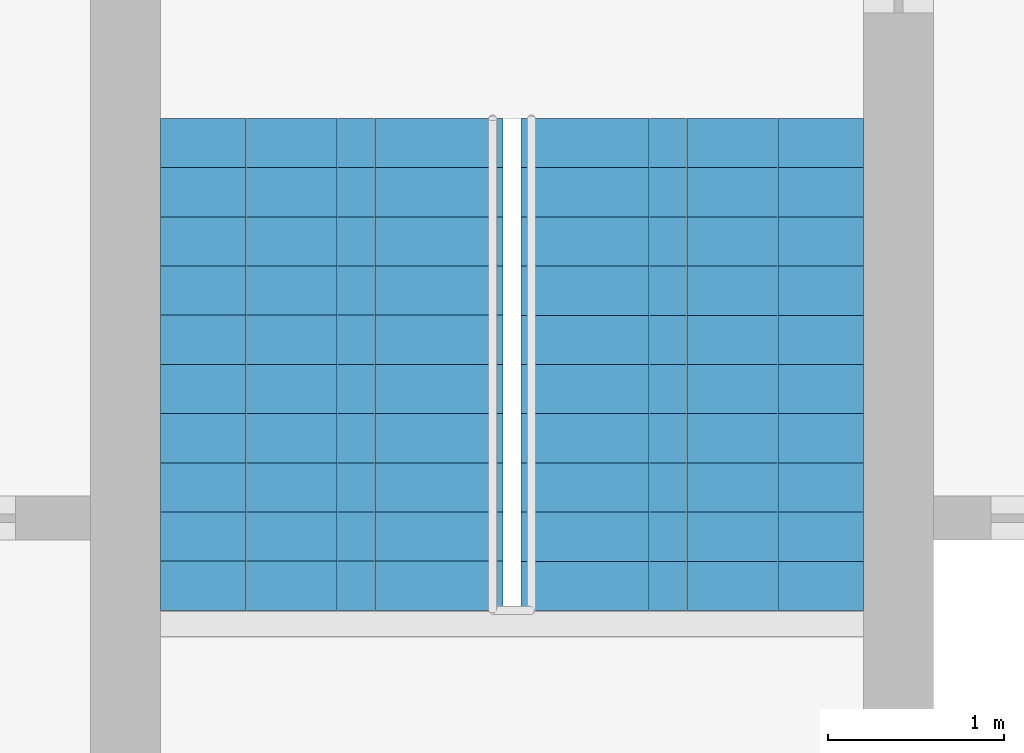
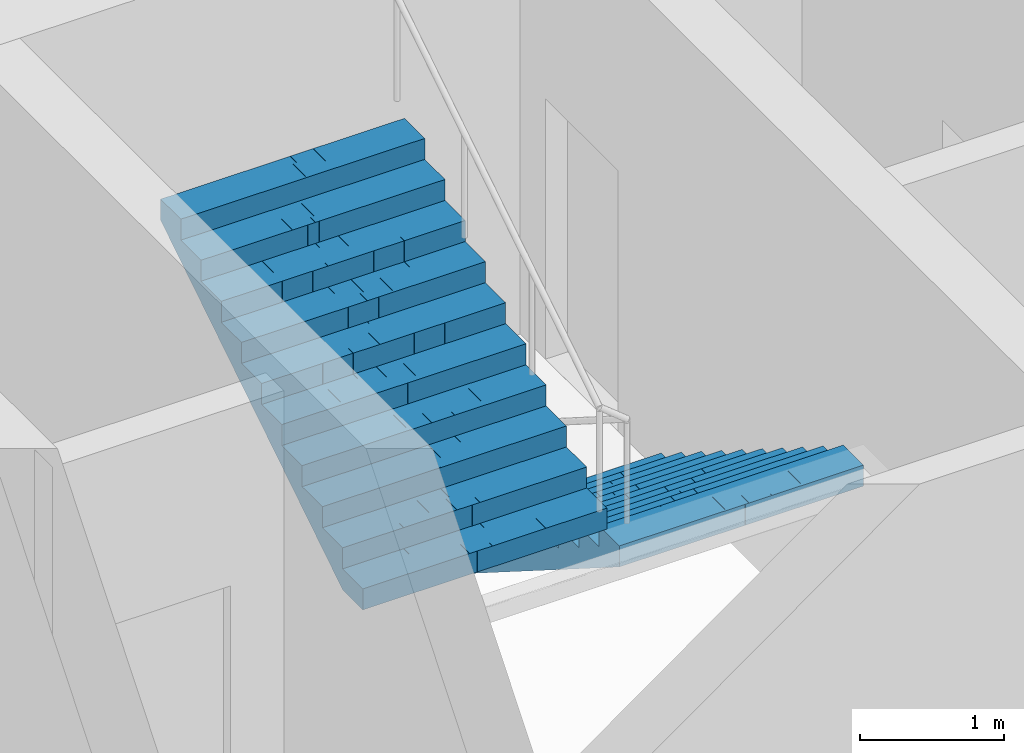
# One storey, part 21 of 22: 2 stair flights, 1 element without a shape of its own.
"""IFC4 building model written with IfcOpenShell, lengths in metres."""

from ifc_helpers import new_model, si_unit, direction, frame, origin, place, context, subcontext, project, spatial, polyline, outline, extrude, material, type_object, element, aggregate, save


model = new_model("IFC4")

# Units and contexts
model_context = context("Model", 3, precision=1e-05, world=origin(), true_north=direction((0.0, 1.0)))
body_context = subcontext(model_context, "Body", "Model", "MODEL_VIEW")
ifc_project = project(units=[si_unit("LENGTHUNIT", "METRE"), si_unit("AREAUNIT", "SQUARE_METRE"), si_unit("VOLUMEUNIT", "CUBIC_METRE"), si_unit("PLANEANGLEUNIT", "RADIAN"), si_unit("MASSUNIT", "GRAM", prefix="KILO")], contexts=[model_context])

# Site, building, storey
site_placement = place(None, origin())
site = spatial("IfcSite", under=ifc_project, at=site_placement, CompositionType="ELEMENT")
building_placement = place(site_placement, origin())
building = spatial("IfcBuilding", under=site, at=building_placement, Name="Mizan Broadcast Tower", CompositionType="ELEMENT")
storey_placement = place(building_placement, frame((0.0, 0.0, 78.60009765625)))
storey = spatial("IfcBuildingStorey", under=building, at=storey_placement, Name="L16", CompositionType="ELEMENT", Elevation=78.60009765625)

# Stair, stair flights
ifc_material_1 = material(Name="Concrete C40/50", Category="concrete")
stair_type = type_object("IfcStairType", Name="EXIT STAIR", PredefinedType="HALF_TURN_STAIR", material=ifc_material_1)
stair_placement = place(storey_placement, origin())
stair = element("IfcStair", 1, at=stair_placement, inside=storey, type_object=stair_type, Name="Stair B L16", PredefinedType="HALF_TURN_STAIR")
ifc_material_2 = material(Name="Concrete C40/50", Category="concrete")
stair_flight_type = type_object("IfcStairFlightType", Name="EXIT STAIR FLIGHT", PredefinedType="STRAIGHT", material=ifc_material_2)
stair_flight_1_placement = place(storey_placement, frame((1.02490234375, 7.89990234375, 0.0), z_axis=(0.0, 0.0, 1.0), x_axis=(0.0, -1.0, 0.0)))
stair_flight_1 = element("IfcStairFlight", 2, at=stair_flight_1_placement, type_object=stair_flight_type, Name="B flight 1", NumberOfRisers=11, NumberOfTreads=10, PredefinedType="STRAIGHT", RiserHeight=0.177272727, TreadLength=0.28, context=body_context, shape_type="SweptSolid", body=[
    extrude(outline(polyline([(0.0, 0.0), (0.0, 0.17724609375), (0.280029296875, 0.17724609375), (0.280029296875, 0.3544921875), (0.56005859375, 0.3544921875), (0.56005859375, 0.53173828125), (0.840087890625, 0.53173828125), (0.840087890625, 0.708984375), (1.1201171875, 0.708984375), (1.1201171875, 0.886474609375), (1.39990234375, 0.886474609375), (1.39990234375, 1.063720703125), (1.679931640625, 1.063720703125), (1.679931640625, 1.240966796875), (1.9599609375, 1.240966796875), (1.9599609375, 1.418212890625), (2.239990234375, 1.418212890625), (2.239990234375, 1.595458984375), (2.52001953125, 1.595458984375), (2.52001953125, 1.772705078125), (2.800048828125, 1.772705078125), (2.800048828125, 1.949951171875), (2.800048828125, 1.59521484375), (0.2802734375, 0.0), (0.0, 0.0)])), frame((0.0, 0.97509765625, 0.0), z_axis=(0.0, -1.0, 0.0), x_axis=(1.0, 0.0, 0.0)), (0.0, 0.0, 1.0), 0.4873046875),
    extrude(outline(polyline([(0.0, 0.0), (0.0, 0.17724609375), (0.280029296875, 0.17724609375), (0.280029296875, 0.3544921875), (0.56005859375, 0.3544921875), (0.56005859375, 0.53173828125), (0.840087890625, 0.53173828125), (0.840087890625, 0.708984375), (1.1201171875, 0.708984375), (1.1201171875, 0.886474609375), (1.39990234375, 0.886474609375), (1.39990234375, 1.063720703125), (1.679931640625, 1.063720703125), (1.679931640625, 1.240966796875), (1.9599609375, 1.240966796875), (1.9599609375, 1.418212890625), (2.239990234375, 1.418212890625), (2.239990234375, 1.595458984375), (2.52001953125, 1.595458984375), (2.52001953125, 1.772705078125), (2.800048828125, 1.772705078125), (2.800048828125, 1.949951171875), (2.800048828125, 1.59521484375), (0.2802734375, 0.0), (0.0, 0.0)])), frame((0.0, 0.4873046875, 0.0), z_axis=(0.0, -1.0, 0.0), x_axis=(1.0, 0.0, 0.0)), (0.0, 0.0, 1.0), 0.2431640625),
    extrude(outline(polyline([(0.0, 0.0), (0.0, 0.17724609375), (0.280029296875, 0.17724609375), (0.280029296875, 0.3544921875), (0.56005859375, 0.3544921875), (0.56005859375, 0.53173828125), (0.840087890625, 0.53173828125), (0.840087890625, 0.708984375), (1.1201171875, 0.708984375), (1.1201171875, 0.886474609375), (1.39990234375, 0.886474609375), (1.39990234375, 1.063720703125), (1.679931640625, 1.063720703125), (1.679931640625, 1.240966796875), (1.9599609375, 1.240966796875), (1.9599609375, 1.418212890625), (2.239990234375, 1.418212890625), (2.239990234375, 1.595458984375), (2.52001953125, 1.595458984375), (2.52001953125, 1.772705078125), (2.800048828125, 1.772705078125), (2.800048828125, 1.949951171875), (2.800048828125, 1.59521484375), (0.2802734375, 0.0), (0.0, 0.0)])), frame((0.0, 0.24365234375, 0.0), z_axis=(0.0, -1.0, 0.0), x_axis=(1.0, 0.0, 0.0)), (0.0, 0.0, 1.0), 0.121337890625),
    extrude(outline(polyline([(0.0, 0.0), (0.0, 0.17724609375), (0.280029296875, 0.17724609375), (0.280029296875, 0.3544921875), (0.56005859375, 0.3544921875), (0.56005859375, 0.53173828125), (0.840087890625, 0.53173828125), (0.840087890625, 0.708984375), (1.1201171875, 0.708984375), (1.1201171875, 0.886474609375), (1.39990234375, 0.886474609375), (1.39990234375, 1.063720703125), (1.679931640625, 1.063720703125), (1.679931640625, 1.240966796875), (1.9599609375, 1.240966796875), (1.9599609375, 1.418212890625), (2.239990234375, 1.418212890625), (2.239990234375, 1.595458984375), (2.52001953125, 1.595458984375), (2.52001953125, 1.772705078125), (2.800048828125, 1.772705078125), (2.800048828125, 1.949951171875), (2.800048828125, 1.59521484375), (0.2802734375, 0.0), (0.0, 0.0)])), frame((0.0, 0.121826171875, 0.0), z_axis=(0.0, -1.0, 0.0), x_axis=(1.0, 0.0, 0.0)), (0.0, 0.0, 1.0), 0.060546875),
    extrude(outline(polyline([(0.0, 0.0), (0.0, 0.17724609375), (0.280029296875, 0.17724609375), (0.280029296875, 0.3544921875), (0.56005859375, 0.3544921875), (0.56005859375, 0.53173828125), (0.840087890625, 0.53173828125), (0.840087890625, 0.708984375), (1.1201171875, 0.708984375), (1.1201171875, 0.886474609375), (1.39990234375, 0.886474609375), (1.39990234375, 1.063720703125), (1.679931640625, 1.063720703125), (1.679931640625, 1.240966796875), (1.9599609375, 1.240966796875), (1.9599609375, 1.418212890625), (2.239990234375, 1.418212890625), (2.239990234375, 1.595458984375), (2.52001953125, 1.595458984375), (2.52001953125, 1.772705078125), (2.800048828125, 1.772705078125), (2.800048828125, 1.949951171875), (2.800048828125, 1.59521484375), (0.2802734375, 0.0), (0.0, 0.0)])), frame((0.0, 0.060791015625, 0.0), z_axis=(0.0, -1.0, 0.0), x_axis=(1.0, 0.0, 0.0)), (0.0, 0.0, 1.0), 0.030029296875),
    extrude(outline(polyline([(0.0, 0.0), (0.0, 0.17724609375), (0.280029296875, 0.17724609375), (0.280029296875, 0.3544921875), (0.56005859375, 0.3544921875), (0.56005859375, 0.53173828125), (0.840087890625, 0.53173828125), (0.840087890625, 0.708984375), (1.1201171875, 0.708984375), (1.1201171875, 0.886474609375), (1.39990234375, 0.886474609375), (1.39990234375, 1.063720703125), (1.679931640625, 1.063720703125), (1.679931640625, 1.240966796875), (1.9599609375, 1.240966796875), (1.9599609375, 1.418212890625), (2.239990234375, 1.418212890625), (2.239990234375, 1.595458984375), (2.52001953125, 1.595458984375), (2.52001953125, 1.772705078125), (2.800048828125, 1.772705078125), (2.800048828125, 1.949951171875), (2.800048828125, 1.59521484375), (0.2802734375, 0.0), (0.0, 0.0)])), frame((0.0, 0.0302734375, 0.0), z_axis=(0.0, -1.0, 0.0), x_axis=(1.0, 0.0, 0.0)), (0.0, 0.0, 1.0), 0.060302734375),
    extrude(outline(polyline([(0.0, 0.0), (0.0, 0.17724609375), (0.280029296875, 0.17724609375), (0.280029296875, 0.3544921875), (0.56005859375, 0.3544921875), (0.56005859375, 0.53173828125), (0.840087890625, 0.53173828125), (0.840087890625, 0.708984375), (1.1201171875, 0.708984375), (1.1201171875, 0.886474609375), (1.39990234375, 0.886474609375), (1.39990234375, 1.063720703125), (1.679931640625, 1.063720703125), (1.679931640625, 1.240966796875), (1.9599609375, 1.240966796875), (1.9599609375, 1.418212890625), (2.239990234375, 1.418212890625), (2.239990234375, 1.595458984375), (2.52001953125, 1.595458984375), (2.52001953125, 1.772705078125), (2.800048828125, 1.772705078125), (2.800048828125, 1.949951171875), (2.800048828125, 1.59521484375), (0.2802734375, 0.0), (0.0, 0.0)])), frame((0.0, -0.030517578125, 0.0), z_axis=(0.0, -1.0, 0.0), x_axis=(1.0, 0.0, 0.0)), (0.0, 0.0, 1.0), 0.030029296875),
    extrude(outline(polyline([(0.0, 0.0), (0.0, 0.17724609375), (0.280029296875, 0.17724609375), (0.280029296875, 0.3544921875), (0.56005859375, 0.3544921875), (0.56005859375, 0.53173828125), (0.840087890625, 0.53173828125), (0.840087890625, 0.708984375), (1.1201171875, 0.708984375), (1.1201171875, 0.886474609375), (1.39990234375, 0.886474609375), (1.39990234375, 1.063720703125), (1.679931640625, 1.063720703125), (1.679931640625, 1.240966796875), (1.9599609375, 1.240966796875), (1.9599609375, 1.418212890625), (2.239990234375, 1.418212890625), (2.239990234375, 1.595458984375), (2.52001953125, 1.595458984375), (2.52001953125, 1.772705078125), (2.800048828125, 1.772705078125), (2.800048828125, 1.949951171875), (2.800048828125, 1.59521484375), (0.2802734375, 0.0), (0.0, 0.0)])), frame((0.0, -0.06103515625, 0.0), z_axis=(0.0, -1.0, 0.0), x_axis=(1.0, 0.0, 0.0)), (0.0, 0.0, 1.0), 0.060546875),
    extrude(outline(polyline([(0.0, 0.0), (0.0, 0.17724609375), (0.280029296875, 0.17724609375), (0.280029296875, 0.3544921875), (0.56005859375, 0.3544921875), (0.56005859375, 0.53173828125), (0.840087890625, 0.53173828125), (0.840087890625, 0.708984375), (1.1201171875, 0.708984375), (1.1201171875, 0.886474609375), (1.39990234375, 0.886474609375), (1.39990234375, 1.063720703125), (1.679931640625, 1.063720703125), (1.679931640625, 1.240966796875), (1.9599609375, 1.240966796875), (1.9599609375, 1.418212890625), (2.239990234375, 1.418212890625), (2.239990234375, 1.595458984375), (2.52001953125, 1.595458984375), (2.52001953125, 1.772705078125), (2.800048828125, 1.772705078125), (2.800048828125, 1.949951171875), (2.800048828125, 1.59521484375), (0.2802734375, 0.0), (0.0, 0.0)])), frame((0.0, -0.1220703125, 0.0), z_axis=(0.0, -1.0, 0.0), x_axis=(1.0, 0.0, 0.0)), (0.0, 0.0, 1.0), 0.121337890625),
    extrude(outline(polyline([(0.0, 0.0), (0.0, 0.17724609375), (0.280029296875, 0.17724609375), (0.280029296875, 0.3544921875), (0.56005859375, 0.3544921875), (0.56005859375, 0.53173828125), (0.840087890625, 0.53173828125), (0.840087890625, 0.708984375), (1.1201171875, 0.708984375), (1.1201171875, 0.886474609375), (1.39990234375, 0.886474609375), (1.39990234375, 1.063720703125), (1.679931640625, 1.063720703125), (1.679931640625, 1.240966796875), (1.9599609375, 1.240966796875), (1.9599609375, 1.418212890625), (2.239990234375, 1.418212890625), (2.239990234375, 1.595458984375), (2.52001953125, 1.595458984375), (2.52001953125, 1.772705078125), (2.800048828125, 1.772705078125), (2.800048828125, 1.949951171875), (2.800048828125, 1.59521484375), (0.2802734375, 0.0), (0.0, 0.0)])), frame((0.0, -0.243896484375, 0.0), z_axis=(0.0, -1.0, 0.0), x_axis=(1.0, 0.0, 0.0)), (0.0, 0.0, 1.0), 0.2431640625),
    extrude(outline(polyline([(0.0, 0.0), (0.0, 0.17724609375), (0.280029296875, 0.17724609375), (0.280029296875, 0.3544921875), (0.56005859375, 0.3544921875), (0.56005859375, 0.53173828125), (0.840087890625, 0.53173828125), (0.840087890625, 0.708984375), (1.1201171875, 0.708984375), (1.1201171875, 0.886474609375), (1.39990234375, 0.886474609375), (1.39990234375, 1.063720703125), (1.679931640625, 1.063720703125), (1.679931640625, 1.240966796875), (1.9599609375, 1.240966796875), (1.9599609375, 1.418212890625), (2.239990234375, 1.418212890625), (2.239990234375, 1.595458984375), (2.52001953125, 1.595458984375), (2.52001953125, 1.772705078125), (2.800048828125, 1.772705078125), (2.800048828125, 1.949951171875), (2.800048828125, 1.59521484375), (0.2802734375, 0.0), (0.0, 0.0)])), frame((0.0, -0.487548828125, 0.0), z_axis=(0.0, -1.0, 0.0), x_axis=(1.0, 0.0, 0.0)), (0.0, 0.0, 1.0), 0.4873046875),
])
stair_flight_2_placement = place(storey_placement, frame((-1.02490234375, 5.10009765625, 1.949951171875), z_axis=(0.0, 0.0, 1.0), x_axis=(0.0, 1.0, 0.0)))
stair_flight_2 = element("IfcStairFlight", 3, at=stair_flight_2_placement, type_object=stair_flight_type, Name="B flight 2", NumberOfRisers=11, NumberOfTreads=10, PredefinedType="STRAIGHT", RiserHeight=0.177272727, TreadLength=0.28, context=body_context, shape_type="SweptSolid", body=[
    extrude(outline(polyline([(0.0, 0.0), (0.0, 0.17724609375), (0.280029296875, 0.17724609375), (0.280029296875, 0.3544921875), (0.56005859375, 0.3544921875), (0.56005859375, 0.53173828125), (0.840087890625, 0.53173828125), (0.840087890625, 0.708984375), (1.1201171875, 0.708984375), (1.1201171875, 0.886474609375), (1.39990234375, 0.886474609375), (1.39990234375, 1.063720703125), (1.679931640625, 1.063720703125), (1.679931640625, 1.240966796875), (1.9599609375, 1.240966796875), (1.9599609375, 1.418212890625), (2.239990234375, 1.418212890625), (2.239990234375, 1.595458984375), (2.52001953125, 1.595458984375), (2.52001953125, 1.772705078125), (2.800048828125, 1.772705078125), (2.800048828125, 1.949951171875), (2.800048828125, 1.59521484375), (0.2802734375, 0.0), (0.0, 0.0)])), frame((0.0, 0.97509765625, 0.0), z_axis=(0.0, -1.0, 0.0), x_axis=(1.0, 0.0, 0.0)), (0.0, 0.0, 1.0), 0.4873046875),
    extrude(outline(polyline([(0.0, 0.0), (0.0, 0.17724609375), (0.280029296875, 0.17724609375), (0.280029296875, 0.3544921875), (0.56005859375, 0.3544921875), (0.56005859375, 0.53173828125), (0.840087890625, 0.53173828125), (0.840087890625, 0.708984375), (1.1201171875, 0.708984375), (1.1201171875, 0.886474609375), (1.39990234375, 0.886474609375), (1.39990234375, 1.063720703125), (1.679931640625, 1.063720703125), (1.679931640625, 1.240966796875), (1.9599609375, 1.240966796875), (1.9599609375, 1.418212890625), (2.239990234375, 1.418212890625), (2.239990234375, 1.595458984375), (2.52001953125, 1.595458984375), (2.52001953125, 1.772705078125), (2.800048828125, 1.772705078125), (2.800048828125, 1.949951171875), (2.800048828125, 1.59521484375), (0.2802734375, 0.0), (0.0, 0.0)])), frame((0.0, 0.4873046875, 0.0), z_axis=(0.0, -1.0, 0.0), x_axis=(1.0, 0.0, 0.0)), (0.0, 0.0, 1.0), 0.2431640625),
    extrude(outline(polyline([(0.0, 0.0), (0.0, 0.17724609375), (0.280029296875, 0.17724609375), (0.280029296875, 0.3544921875), (0.56005859375, 0.3544921875), (0.56005859375, 0.53173828125), (0.840087890625, 0.53173828125), (0.840087890625, 0.708984375), (1.1201171875, 0.708984375), (1.1201171875, 0.886474609375), (1.39990234375, 0.886474609375), (1.39990234375, 1.063720703125), (1.679931640625, 1.063720703125), (1.679931640625, 1.240966796875), (1.9599609375, 1.240966796875), (1.9599609375, 1.418212890625), (2.239990234375, 1.418212890625), (2.239990234375, 1.595458984375), (2.52001953125, 1.595458984375), (2.52001953125, 1.772705078125), (2.800048828125, 1.772705078125), (2.800048828125, 1.949951171875), (2.800048828125, 1.59521484375), (0.2802734375, 0.0), (0.0, 0.0)])), frame((0.0, 0.24365234375, 0.0), z_axis=(0.0, -1.0, 0.0), x_axis=(1.0, 0.0, 0.0)), (0.0, 0.0, 1.0), 0.121337890625),
    extrude(outline(polyline([(0.0, 0.0), (0.0, 0.17724609375), (0.280029296875, 0.17724609375), (0.280029296875, 0.3544921875), (0.56005859375, 0.3544921875), (0.56005859375, 0.53173828125), (0.840087890625, 0.53173828125), (0.840087890625, 0.708984375), (1.1201171875, 0.708984375), (1.1201171875, 0.886474609375), (1.39990234375, 0.886474609375), (1.39990234375, 1.063720703125), (1.679931640625, 1.063720703125), (1.679931640625, 1.240966796875), (1.9599609375, 1.240966796875), (1.9599609375, 1.418212890625), (2.239990234375, 1.418212890625), (2.239990234375, 1.595458984375), (2.52001953125, 1.595458984375), (2.52001953125, 1.772705078125), (2.800048828125, 1.772705078125), (2.800048828125, 1.949951171875), (2.800048828125, 1.59521484375), (0.2802734375, 0.0), (0.0, 0.0)])), frame((0.0, 0.121826171875, 0.0), z_axis=(0.0, -1.0, 0.0), x_axis=(1.0, 0.0, 0.0)), (0.0, 0.0, 1.0), 0.060546875),
    extrude(outline(polyline([(0.0, 0.0), (0.0, 0.17724609375), (0.280029296875, 0.17724609375), (0.280029296875, 0.3544921875), (0.56005859375, 0.3544921875), (0.56005859375, 0.53173828125), (0.840087890625, 0.53173828125), (0.840087890625, 0.708984375), (1.1201171875, 0.708984375), (1.1201171875, 0.886474609375), (1.39990234375, 0.886474609375), (1.39990234375, 1.063720703125), (1.679931640625, 1.063720703125), (1.679931640625, 1.240966796875), (1.9599609375, 1.240966796875), (1.9599609375, 1.418212890625), (2.239990234375, 1.418212890625), (2.239990234375, 1.595458984375), (2.52001953125, 1.595458984375), (2.52001953125, 1.772705078125), (2.800048828125, 1.772705078125), (2.800048828125, 1.949951171875), (2.800048828125, 1.59521484375), (0.2802734375, 0.0), (0.0, 0.0)])), frame((0.0, 0.060791015625, 0.0), z_axis=(0.0, -1.0, 0.0), x_axis=(1.0, 0.0, 0.0)), (0.0, 0.0, 1.0), 0.030029296875),
    extrude(outline(polyline([(0.0, 0.0), (0.0, 0.17724609375), (0.280029296875, 0.17724609375), (0.280029296875, 0.3544921875), (0.56005859375, 0.3544921875), (0.56005859375, 0.53173828125), (0.840087890625, 0.53173828125), (0.840087890625, 0.708984375), (1.1201171875, 0.708984375), (1.1201171875, 0.886474609375), (1.39990234375, 0.886474609375), (1.39990234375, 1.063720703125), (1.679931640625, 1.063720703125), (1.679931640625, 1.240966796875), (1.9599609375, 1.240966796875), (1.9599609375, 1.418212890625), (2.239990234375, 1.418212890625), (2.239990234375, 1.595458984375), (2.52001953125, 1.595458984375), (2.52001953125, 1.772705078125), (2.800048828125, 1.772705078125), (2.800048828125, 1.949951171875), (2.800048828125, 1.59521484375), (0.2802734375, 0.0), (0.0, 0.0)])), frame((0.0, 0.0302734375, 0.0), z_axis=(0.0, -1.0, 0.0), x_axis=(1.0, 0.0, 0.0)), (0.0, 0.0, 1.0), 0.060302734375),
    extrude(outline(polyline([(0.0, 0.0), (0.0, 0.17724609375), (0.280029296875, 0.17724609375), (0.280029296875, 0.3544921875), (0.56005859375, 0.3544921875), (0.56005859375, 0.53173828125), (0.840087890625, 0.53173828125), (0.840087890625, 0.708984375), (1.1201171875, 0.708984375), (1.1201171875, 0.886474609375), (1.39990234375, 0.886474609375), (1.39990234375, 1.063720703125), (1.679931640625, 1.063720703125), (1.679931640625, 1.240966796875), (1.9599609375, 1.240966796875), (1.9599609375, 1.418212890625), (2.239990234375, 1.418212890625), (2.239990234375, 1.595458984375), (2.52001953125, 1.595458984375), (2.52001953125, 1.772705078125), (2.800048828125, 1.772705078125), (2.800048828125, 1.949951171875), (2.800048828125, 1.59521484375), (0.2802734375, 0.0), (0.0, 0.0)])), frame((0.0, -0.030517578125, 0.0), z_axis=(0.0, -1.0, 0.0), x_axis=(1.0, 0.0, 0.0)), (0.0, 0.0, 1.0), 0.030029296875),
    extrude(outline(polyline([(0.0, 0.0), (0.0, 0.17724609375), (0.280029296875, 0.17724609375), (0.280029296875, 0.3544921875), (0.56005859375, 0.3544921875), (0.56005859375, 0.53173828125), (0.840087890625, 0.53173828125), (0.840087890625, 0.708984375), (1.1201171875, 0.708984375), (1.1201171875, 0.886474609375), (1.39990234375, 0.886474609375), (1.39990234375, 1.063720703125), (1.679931640625, 1.063720703125), (1.679931640625, 1.240966796875), (1.9599609375, 1.240966796875), (1.9599609375, 1.418212890625), (2.239990234375, 1.418212890625), (2.239990234375, 1.595458984375), (2.52001953125, 1.595458984375), (2.52001953125, 1.772705078125), (2.800048828125, 1.772705078125), (2.800048828125, 1.949951171875), (2.800048828125, 1.59521484375), (0.2802734375, 0.0), (0.0, 0.0)])), frame((0.0, -0.06103515625, 0.0), z_axis=(0.0, -1.0, 0.0), x_axis=(1.0, 0.0, 0.0)), (0.0, 0.0, 1.0), 0.060546875),
    extrude(outline(polyline([(0.0, 0.0), (0.0, 0.17724609375), (0.280029296875, 0.17724609375), (0.280029296875, 0.3544921875), (0.56005859375, 0.3544921875), (0.56005859375, 0.53173828125), (0.840087890625, 0.53173828125), (0.840087890625, 0.708984375), (1.1201171875, 0.708984375), (1.1201171875, 0.886474609375), (1.39990234375, 0.886474609375), (1.39990234375, 1.063720703125), (1.679931640625, 1.063720703125), (1.679931640625, 1.240966796875), (1.9599609375, 1.240966796875), (1.9599609375, 1.418212890625), (2.239990234375, 1.418212890625), (2.239990234375, 1.595458984375), (2.52001953125, 1.595458984375), (2.52001953125, 1.772705078125), (2.800048828125, 1.772705078125), (2.800048828125, 1.949951171875), (2.800048828125, 1.59521484375), (0.2802734375, 0.0), (0.0, 0.0)])), frame((0.0, -0.1220703125, 0.0), z_axis=(0.0, -1.0, 0.0), x_axis=(1.0, 0.0, 0.0)), (0.0, 0.0, 1.0), 0.121337890625),
    extrude(outline(polyline([(0.0, 0.0), (0.0, 0.17724609375), (0.280029296875, 0.17724609375), (0.280029296875, 0.3544921875), (0.56005859375, 0.3544921875), (0.56005859375, 0.53173828125), (0.840087890625, 0.53173828125), (0.840087890625, 0.708984375), (1.1201171875, 0.708984375), (1.1201171875, 0.886474609375), (1.39990234375, 0.886474609375), (1.39990234375, 1.063720703125), (1.679931640625, 1.063720703125), (1.679931640625, 1.240966796875), (1.9599609375, 1.240966796875), (1.9599609375, 1.418212890625), (2.239990234375, 1.418212890625), (2.239990234375, 1.595458984375), (2.52001953125, 1.595458984375), (2.52001953125, 1.772705078125), (2.800048828125, 1.772705078125), (2.800048828125, 1.949951171875), (2.800048828125, 1.59521484375), (0.2802734375, 0.0), (0.0, 0.0)])), frame((0.0, -0.243896484375, 0.0), z_axis=(0.0, -1.0, 0.0), x_axis=(1.0, 0.0, 0.0)), (0.0, 0.0, 1.0), 0.2431640625),
    extrude(outline(polyline([(0.0, 0.0), (0.0, 0.17724609375), (0.280029296875, 0.17724609375), (0.280029296875, 0.3544921875), (0.56005859375, 0.3544921875), (0.56005859375, 0.53173828125), (0.840087890625, 0.53173828125), (0.840087890625, 0.708984375), (1.1201171875, 0.708984375), (1.1201171875, 0.886474609375), (1.39990234375, 0.886474609375), (1.39990234375, 1.063720703125), (1.679931640625, 1.063720703125), (1.679931640625, 1.240966796875), (1.9599609375, 1.240966796875), (1.9599609375, 1.418212890625), (2.239990234375, 1.418212890625), (2.239990234375, 1.595458984375), (2.52001953125, 1.595458984375), (2.52001953125, 1.772705078125), (2.800048828125, 1.772705078125), (2.800048828125, 1.949951171875), (2.800048828125, 1.59521484375), (0.2802734375, 0.0), (0.0, 0.0)])), frame((0.0, -0.487548828125, 0.0), z_axis=(0.0, -1.0, 0.0), x_axis=(1.0, 0.0, 0.0)), (0.0, 0.0, 1.0), 0.4873046875),
])
aggregate(stair, [stair_flight_1, stair_flight_2])

save(model, "model.ifc")
